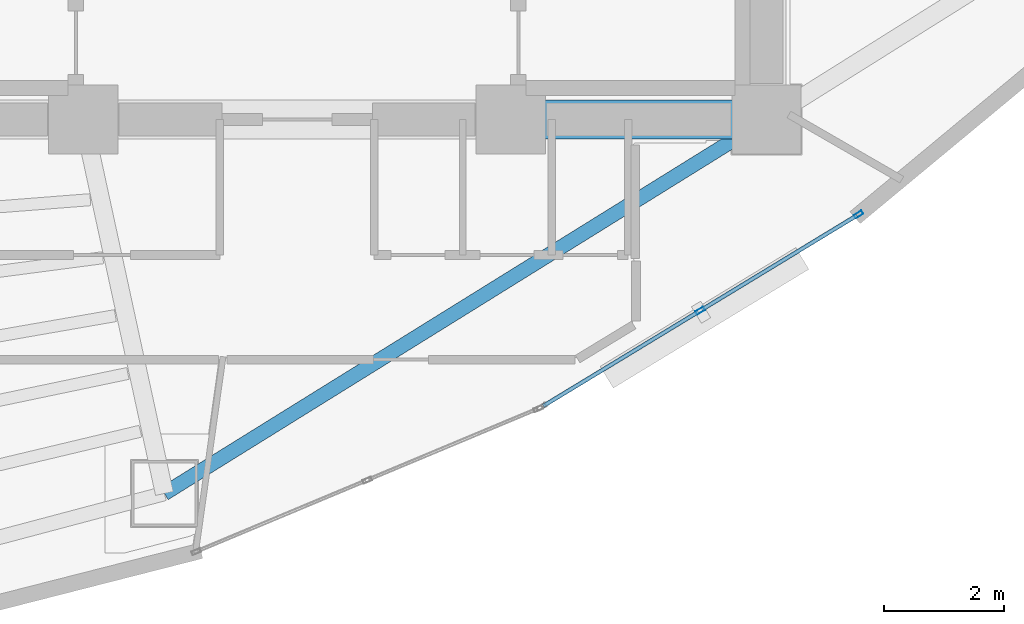
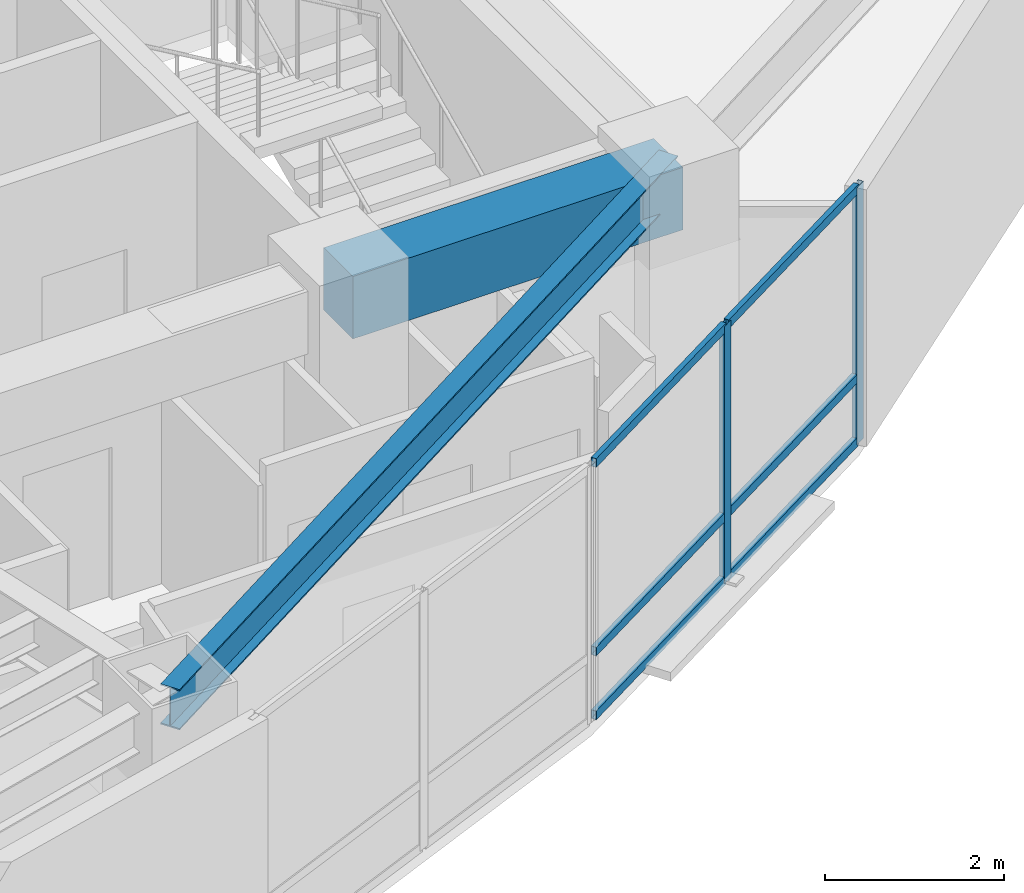
# One storey, part 5 of 15: 8 members, 2 beams, 1 element without a shape of its own.
"""IFC4 building model written with IfcOpenShell, lengths in metres."""

from ifc_helpers import new_model, si_unit, direction, frame, origin, origin_2d, place, context, subcontext, project, spatial, rectangle, hollow_rectangle, i_section, extrude, material, layer, layer_set, material_profile, profile_set, type_object, element, aggregate, save


model = new_model("IFC4")

# Units and contexts
model_context = context("Model", 3, precision=1e-05, world=origin(), true_north=direction((0.0, 1.0)))
body_context = subcontext(model_context, "Body", "Model", "MODEL_VIEW")
ifc_project = project(units=[si_unit("LENGTHUNIT", "METRE"), si_unit("AREAUNIT", "SQUARE_METRE"), si_unit("VOLUMEUNIT", "CUBIC_METRE"), si_unit("PLANEANGLEUNIT", "RADIAN"), si_unit("MASSUNIT", "GRAM", prefix="KILO")], contexts=[model_context])

# Site, building, storey
site_placement = place(None, origin())
site = spatial("IfcSite", under=ifc_project, at=site_placement, CompositionType="ELEMENT")
building_placement = place(site_placement, origin())
building = spatial("IfcBuilding", under=site, at=building_placement, Name="Menara Vayukalpa", CompositionType="ELEMENT")
storey_placement = place(building_placement, frame((0.0, 0.0, 141.179931640625)))
storey = spatial("IfcBuildingStorey", under=building, at=storey_placement, Name="L35", CompositionType="ELEMENT", Elevation=141.179931640625)

# Beams
ifc_material_1 = material(Name="Concrete C60/75", Category="concrete")
ifc_material_profile_1 = material_profile(ifc_material_1, rectangle(XDim=0.64990234375, YDim=0.85009765625, at=origin_2d()), Name="RC 650x850")
ifc_profile_set_1 = profile_set([ifc_material_profile_1], Name="Concrete C60/75")
beam_type_1 = type_object("IfcBeamType", Name="BM-CB1", PredefinedType="BEAM", material=ifc_profile_set_1)
beam_1_placement = place(storey_placement, frame((29.14990234375, 17.199951171875, 3.074951171875), z_axis=(1.0, 0.0, 0.0), x_axis=(0.0, 1.0, 0.0)))
element("IfcBeam", 1, at=beam_1_placement, inside=storey, type_object=beam_type_1, Name="L35 Core Tie Beam CBR3", PredefinedType="BEAM", context=body_context, shape_type="SweptSolid", body=[
    extrude(rectangle(XDim=0.64990234375, YDim=0.85009765625, at=origin_2d()), origin(), (0.0, 0.0, 1.0), 4.25),
])
ifc_material_2 = material(Name="Steel S355", Category="steel")
ifc_material_profile_2 = material_profile(ifc_material_2, i_section(OverallWidth=0.239990234375, OverallDepth=0.550048828125, WebThickness=0.010986328125, FlangeThickness=0.01904296875, at=origin_2d()), Name="WF 550x240x11x19")
ifc_profile_set_2 = profile_set([ifc_material_profile_2], Name="Steel S355")
beam_type_2 = type_object("IfcBeamType", Name="BM-SP2", PredefinedType="SPANDREL", material=ifc_profile_set_2)
beam_2_placement = place(storey_placement, frame((23.39697265625, 10.988037109375, 3.22509765625), z_axis=(0.849518408464, 0.527558976495, 0.0), x_axis=(-0.527558976495, 0.849518408464, 0.0)))
element("IfcBeam", 2, at=beam_2_placement, inside=storey, type_object=beam_type_2, Name="L35 Perimeter Spandrel Beam SP08", PredefinedType="SPANDREL", context=body_context, shape_type="SweptSolid", body=[
    extrude(i_section(OverallWidth=0.239990234375, OverallDepth=0.550048828125, WebThickness=0.010986328125, FlangeThickness=0.01904296875, at=origin_2d()), origin(), (0.0, 0.0, 1.0), 11.77490234375),
])

# Curtain wall, members
ifc_material_3 = material(Name="Anodised Terracotta Aluminium Alloy 6063-T6", Category="masonry")
ifc_layer = layer(ifc_material_3, 0.14990234375)
ifc_layer_set = layer_set([ifc_layer], Name="Anodised Terracotta Aluminium Alloy 6063-T6")
curtain_wall_type = type_object("IfcCurtainWallType", Name="CW-CW3", PredefinedType="USERDEFINED", material=ifc_layer_set)
curtain_wall_placement = place(storey_placement, origin())
curtain_wall = element("IfcCurtainWall", 3, at=curtain_wall_placement, inside=storey, type_object=curtain_wall_type, Name="L35 Mid Rise Terracotta Ribbon Curtain Wall CW3 17", ObjectType="UNITISED", PredefinedType="USERDEFINED")
ifc_material_4 = material(Name="Anodised Terracotta Aluminium Alloy 6063-T6", Category="masonry")
ifc_material_profile_3 = material_profile(ifc_material_4, hollow_rectangle(XDim=0.06494140625, YDim=0.14990234375, WallThickness=0.00341796875, at=origin_2d()), Name="ALU 65x150x3.5")
ifc_profile_set_3 = profile_set([ifc_material_profile_3], Name="Anodised Terracotta Aluminium Alloy 6063-T6")
member_type_1 = type_object("IfcMemberType", Name="CWM-CW3", PredefinedType="MULLION", material=ifc_profile_set_3)
member_1_placement = place(storey_placement, frame((32.295654296875, 14.0244140625, 0.0), z_axis=(0.0, 0.0, 1.0), x_axis=(-0.519195768176, 0.854655342409, 0.0)))
member_1 = element("IfcMember", 4, at=member_1_placement, type_object=member_type_1, Name="CW3 mullion 2", PredefinedType="MULLION", context=body_context, shape_type="SweptSolid", body=[
    extrude(hollow_rectangle(XDim=0.06494140625, YDim=0.14990234375, WallThickness=0.00341796875, at=origin_2d()), origin(), (0.0, 0.0, 1.0), 3.5),
])
member_2_placement = place(storey_placement, frame((34.927001953125, 15.622802734375, 0.0), z_axis=(0.0, 0.0, 1.0), x_axis=(-0.519195768176, 0.854655342409, 0.0)))
member_2 = element("IfcMember", 5, at=member_2_placement, type_object=member_type_1, Name="CW3 mullion 3", PredefinedType="MULLION", context=body_context, shape_type="SweptSolid", body=[
    extrude(hollow_rectangle(XDim=0.06494140625, YDim=0.14990234375, WallThickness=0.00341796875, at=origin_2d()), origin(), (0.0, 0.0, 1.0), 3.5),
])
ifc_material_5 = material(Name="Anodised Terracotta Aluminium Alloy 6063-T6", Category="masonry")
ifc_material_profile_4 = material_profile(ifc_material_5, hollow_rectangle(XDim=0.06494140625, YDim=0.1201171875, WallThickness=0.00341796875, at=origin_2d()), Name="ALU 65x120x3.5")
ifc_profile_set_4 = profile_set([ifc_material_profile_4], Name="Anodised Terracotta Aluminium Alloy 6063-T6")
member_type_2 = type_object("IfcMemberType", Name="CWT-CW3", PredefinedType="USERDEFINED", material=ifc_profile_set_4)
member_3_placement = place(storey_placement, frame((29.692138671875, 12.442626953125, 0.032470703125), z_axis=(0.854642464994, 0.519216965275, 0.0), x_axis=(-0.519216965275, 0.854642464994, 0.0)))
member_3 = element("IfcMember", 6, at=member_3_placement, type_object=member_type_2, Name="CW3 transom 1.1", ObjectType="TRANSOM", PredefinedType="USERDEFINED", context=body_context, shape_type="SweptSolid", body=[
    extrude(hollow_rectangle(XDim=0.06494140625, YDim=0.1201171875, WallThickness=0.00341796875, at=origin_2d()), origin(), (0.0, 0.0, 1.0), 3.01416015625),
])
member_4_placement = place(storey_placement, frame((29.692138671875, 12.442626953125, 0.900146484375), z_axis=(0.854642464994, 0.519216965275, 0.0), x_axis=(-0.519216965275, 0.854642464994, 0.0)))
member_4 = element("IfcMember", 7, at=member_4_placement, type_object=member_type_2, Name="CW3 transom 1.2", ObjectType="TRANSOM", PredefinedType="USERDEFINED", context=body_context, shape_type="SweptSolid", body=[
    extrude(hollow_rectangle(XDim=0.06494140625, YDim=0.1201171875, WallThickness=0.00341796875, at=origin_2d()), origin(), (0.0, 0.0, 1.0), 3.01416015625),
])
member_5_placement = place(storey_placement, frame((29.692138671875, 12.442626953125, 3.467529296875), z_axis=(0.854642464994, 0.519216965275, 0.0), x_axis=(-0.519216965275, 0.854642464994, 0.0)))
member_5 = element("IfcMember", 8, at=member_5_placement, type_object=member_type_2, Name="CW3 transom 1.3", ObjectType="TRANSOM", PredefinedType="USERDEFINED", context=body_context, shape_type="SweptSolid", body=[
    extrude(hollow_rectangle(XDim=0.06494140625, YDim=0.1201171875, WallThickness=0.00341796875, at=origin_2d()), origin(), (0.0, 0.0, 1.0), 3.01416015625),
])
member_6_placement = place(storey_placement, frame((32.323486328125, 14.041259765625, 0.032470703125), z_axis=(0.854656573285, 0.519193742008, 0.0), x_axis=(-0.519193742008, 0.854656573285, 0.0)))
member_6 = element("IfcMember", 9, at=member_6_placement, type_object=member_type_2, Name="CW3 transom 2.1", ObjectType="TRANSOM", PredefinedType="USERDEFINED", context=body_context, shape_type="SweptSolid", body=[
    extrude(hollow_rectangle(XDim=0.06494140625, YDim=0.1201171875, WallThickness=0.00341796875, at=origin_2d()), origin(), (0.0, 0.0, 1.0), 3.013671875),
])
member_7_placement = place(storey_placement, frame((32.323486328125, 14.041259765625, 0.900146484375), z_axis=(0.854656573285, 0.519193742008, 0.0), x_axis=(-0.519193742008, 0.854656573285, 0.0)))
member_7 = element("IfcMember", 10, at=member_7_placement, type_object=member_type_2, Name="CW3 transom 2.2", ObjectType="TRANSOM", PredefinedType="USERDEFINED", context=body_context, shape_type="SweptSolid", body=[
    extrude(hollow_rectangle(XDim=0.06494140625, YDim=0.1201171875, WallThickness=0.00341796875, at=origin_2d()), origin(), (0.0, 0.0, 1.0), 3.013671875),
])
member_8_placement = place(storey_placement, frame((32.323486328125, 14.041259765625, 3.467529296875), z_axis=(0.854656573285, 0.519193742008, 0.0), x_axis=(-0.519193742008, 0.854656573285, 0.0)))
member_8 = element("IfcMember", 11, at=member_8_placement, type_object=member_type_2, Name="CW3 transom 2.3", ObjectType="TRANSOM", PredefinedType="USERDEFINED", context=body_context, shape_type="SweptSolid", body=[
    extrude(hollow_rectangle(XDim=0.06494140625, YDim=0.1201171875, WallThickness=0.00341796875, at=origin_2d()), origin(), (0.0, 0.0, 1.0), 3.013671875),
])
aggregate(curtain_wall, [member_1, member_2, member_3, member_4, member_5, member_6, member_7, member_8])

save(model, "model.ifc")
